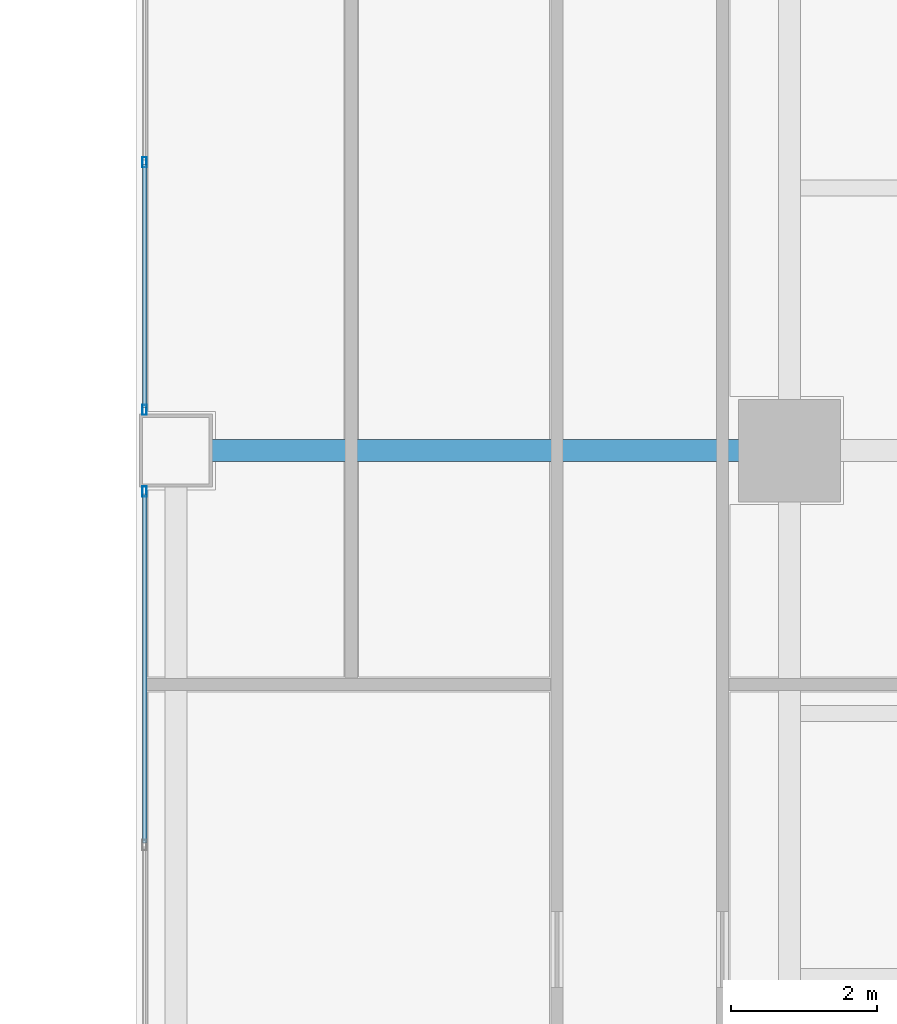
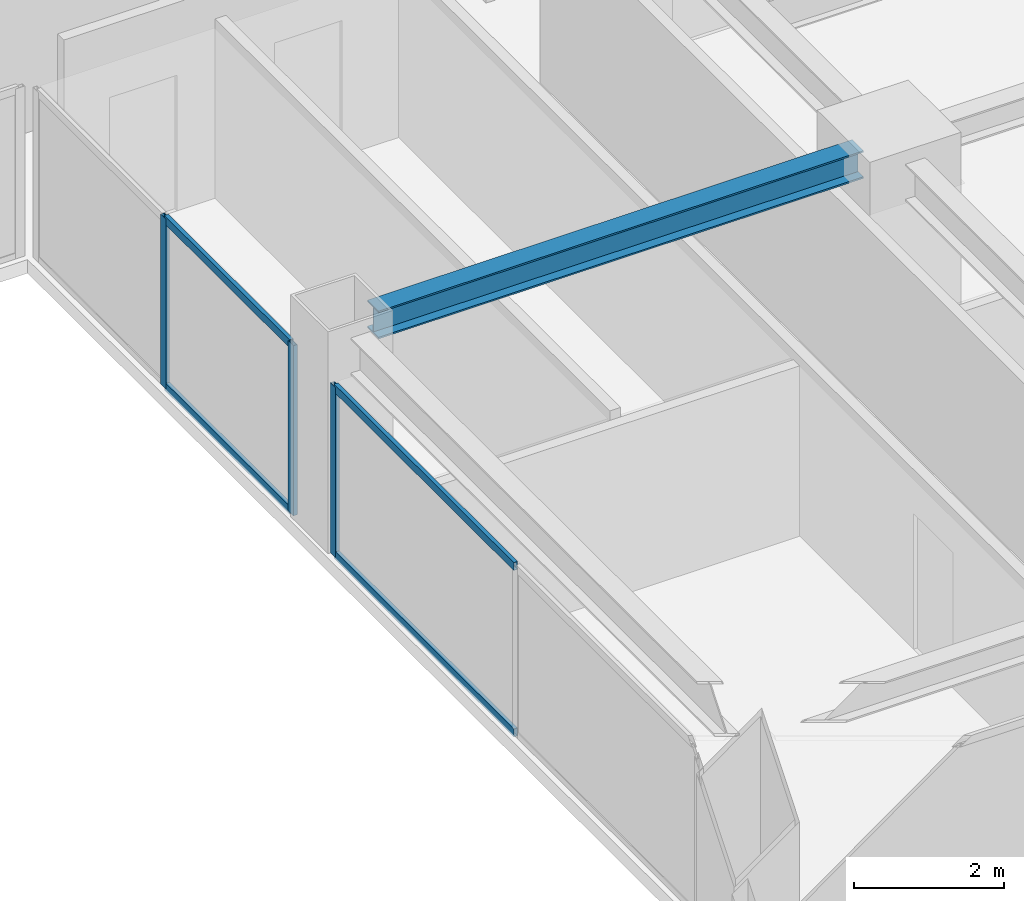
# One storey, part 14 of 31: 7 members, 1 beam, 2 elements without a shape of their own.
"""IFC4 building model written with IfcOpenShell, lengths in metres."""

from ifc_helpers import new_model, si_unit, direction, frame, origin, origin_2d, place, context, subcontext, project, spatial, hollow_rectangle, i_section, extrude, source, transform, mapped, material, layer, layer_set, material_profile, profile_set, type_object, element, aggregate, save


model = new_model("IFC4")

# Units and contexts
model_context = context("Model", 3, precision=1e-05, world=origin(), true_north=direction((0.0, 1.0)))
body_context = subcontext(model_context, "Body", "Model", "MODEL_VIEW")
ifc_project = project(units=[si_unit("LENGTHUNIT", "METRE"), si_unit("AREAUNIT", "SQUARE_METRE"), si_unit("VOLUMEUNIT", "CUBIC_METRE"), si_unit("PLANEANGLEUNIT", "RADIAN"), si_unit("MASSUNIT", "GRAM", prefix="KILO")], contexts=[model_context])

# Site, building, storey
site_placement = place(None, origin())
site = spatial("IfcSite", under=ifc_project, at=site_placement, CompositionType="ELEMENT")
building_placement = place(site_placement, origin())
building = spatial("IfcBuilding", under=site, at=building_placement, Name="Sumidabori Civic Tower", CompositionType="ELEMENT")
storey_placement = place(building_placement, frame((0.0, 0.0, 221.60009765625)))
storey = spatial("IfcBuildingStorey", under=building, at=storey_placement, Name="L57", CompositionType="ELEMENT", Elevation=221.60009765625)

# Beam
ifc_material_1 = material(Name="Steel SN490", Category="steel")
ifc_material_profile_1 = material_profile(ifc_material_1, i_section(OverallWidth=0.300048828125, OverallDepth=0.449951171875, WebThickness=0.013916015625, FlangeThickness=0.02587890625, at=origin_2d()), Name="HE 450 B")
ifc_profile_set_1 = profile_set([ifc_material_profile_1], Name="Steel SN490")
beam_type = type_object("IfcBeamType", Name="BM-GIRD-450", PredefinedType="BEAM", material=ifc_profile_set_1)
shared_shape_1 = source(origin(), body_context, "Body", "SweptSolid", [
    extrude(i_section(OverallWidth=0.300048828125, OverallDepth=0.449951171875, WebThickness=0.013916015625, FlangeThickness=0.02587890625, at=origin_2d()), origin(), (0.0, 0.0, 1.0), 7.440185546875),
])
beam_placement = place(storey_placement, frame((8.8798828125, 0.0, 3.15478515625), z_axis=(1.0, 0.0, 0.0), x_axis=(0.0, 1.0, 0.0)))
element("IfcBeam", 1, at=beam_placement, inside=storey, type_object=beam_type, Name="Primary Girder L57 GX-07", PredefinedType="BEAM", context=body_context, shape_type="MappedRepresentation", body=[
    mapped(shared_shape_1, transform((0.0, 0.0, 0.0), x_axis=(1.0, 0.0, 0.0), y_axis=(0.0, 1.0, 0.0), z_axis=(0.0, 0.0, 1.0), scale=1.0)),
])

# Curtain wall, members
ifc_material_2 = material(Name="Anodised Bronze Aluminium AW-6063-T6", Category="aluminium")
ifc_layer = layer(ifc_material_2, 0.179931640625, Name="Anodised Bronze Aluminium AW-6063-T6")
ifc_layer_set = layer_set([ifc_layer], Name="Anodised Bronze Aluminium AW-6063-T6")
curtain_wall_type = type_object("IfcCurtainWallType", Name="CW-SYS-4", PredefinedType="NOTDEFINED", material=ifc_layer_set)
curtain_wall_1_placement = place(storey_placement, origin())
curtain_wall_1 = element("IfcCurtainWall", 2, at=curtain_wall_1_placement, inside=storey, type_object=curtain_wall_type, Name="Curtain Wall CW:L57:R06", PredefinedType="NOTDEFINED")
ifc_material_profile_2 = material_profile(ifc_material_2, hollow_rectangle(XDim=0.06005859375, YDim=0.139892578125, WallThickness=0.0048828125, at=origin_2d()), Name="ALU MULLION 140x60")
ifc_profile_set_2 = profile_set([ifc_material_profile_2], Name="Anodised Bronze Aluminium AW-6063-T6")
member_type_1 = type_object("IfcMemberType", Name="CW-MUL-140", PredefinedType="MULLION", material=ifc_profile_set_2)
shared_shape_2 = source(origin(), body_context, "Body", "SweptSolid", [
    extrude(hollow_rectangle(XDim=0.06005859375, YDim=0.139892578125, WallThickness=0.0048828125, at=origin_2d()), origin(), (0.0, 0.0, 1.0), 2.760009765625),
])
member_1_placement = place(storey_placement, frame((7.969970703125, 3.949951171875, 0.0), z_axis=(0.0, 0.0, 1.0), x_axis=(1.0, 0.0, 0.0)))
member_1 = element("IfcMember", 3, at=member_1_placement, type_object=member_type_1, Name="CW-4 mullion 2", PredefinedType="MULLION", context=body_context, shape_type="MappedRepresentation", body=[
    mapped(shared_shape_2, transform((0.0, 0.0, 0.0), x_axis=(1.0, 0.0, 0.0), y_axis=(0.0, 1.0, 0.0), z_axis=(0.0, 0.0, 1.0), scale=1.0)),
])
member_2_placement = place(storey_placement, frame((7.969970703125, 0.56005859375, 0.0), z_axis=(0.0, 0.0, 1.0), x_axis=(1.0, 0.0, 0.0)))
member_2 = element("IfcMember", 4, at=member_2_placement, type_object=member_type_1, Name="CW-4 mullion 3", PredefinedType="MULLION", context=body_context, shape_type="MappedRepresentation", body=[
    mapped(shared_shape_2, transform((0.0, 0.0, 0.0), x_axis=(1.0, 0.0, 0.0), y_axis=(0.0, 1.0, 0.0), z_axis=(0.0, 0.0, 1.0), scale=1.0)),
])

curtain_wall_2_placement = place(storey_placement, origin())
curtain_wall_2 = element("IfcCurtainWall", 5, at=curtain_wall_2_placement, inside=storey, type_object=curtain_wall_type, Name="Curtain Wall CW:L57:R07", PredefinedType="NOTDEFINED")
member_3_placement = place(storey_placement, frame((7.969970703125, -0.56005859375, 0.0), z_axis=(0.0, 0.0, 1.0), x_axis=(1.0, 0.0, 0.0)))
member_3 = element("IfcMember", 6, at=member_3_placement, type_object=member_type_1, Name="CW-4 mullion 1", PredefinedType="MULLION", context=body_context, shape_type="MappedRepresentation", body=[
    mapped(shared_shape_2, transform((0.0, 0.0, 0.0), x_axis=(1.0, 0.0, 0.0), y_axis=(0.0, 1.0, 0.0), z_axis=(0.0, 0.0, 1.0), scale=1.0)),
])
ifc_material_profile_3 = material_profile(ifc_material_2, hollow_rectangle(XDim=0.06005859375, YDim=0.1298828125, WallThickness=0.0048828125, at=origin_2d()), Name="ALU TRANSOM 130x60")
ifc_profile_set_3 = profile_set([ifc_material_profile_3], Name="Anodised Bronze Aluminium AW-6063-T6")
member_type_2 = type_object("IfcMemberType", Name="CW-TRN-130", PredefinedType="USERDEFINED", material=ifc_profile_set_3)
shared_shape_3 = source(origin(), body_context, "Body", "SweptSolid", [
    extrude(hollow_rectangle(XDim=0.06005859375, YDim=0.1298828125, WallThickness=0.0048828125, at=origin_2d()), origin(), (0.0, 0.0, 1.0), 4.780029296875),
])
member_4_placement = place(storey_placement, frame((7.969970703125, -0.590087890625, 0.02978515625), z_axis=(0.0, -1.0, 0.0), x_axis=(1.0, 0.0, 0.0)))
member_4 = element("IfcMember", 7, at=member_4_placement, type_object=member_type_2, Name="CW-4 transom 1.1", ObjectType="TRANSOM", PredefinedType="USERDEFINED", context=body_context, shape_type="MappedRepresentation", body=[
    mapped(shared_shape_3, transform((0.0, 0.0, 0.0), x_axis=(1.0, 0.0, 0.0), y_axis=(0.0, 1.0, 0.0), z_axis=(0.0, 0.0, 1.0), scale=1.0)),
])
member_5_placement = place(storey_placement, frame((7.969970703125, -0.590087890625, 2.72998046875), z_axis=(0.0, -1.0, 0.0), x_axis=(1.0, 0.0, 0.0)))
member_5 = element("IfcMember", 8, at=member_5_placement, type_object=member_type_2, Name="CW-4 transom 1.2", ObjectType="TRANSOM", PredefinedType="USERDEFINED", context=body_context, shape_type="MappedRepresentation", body=[
    mapped(shared_shape_3, transform((0.0, 0.0, 0.0), x_axis=(1.0, 0.0, 0.0), y_axis=(0.0, 1.0, 0.0), z_axis=(0.0, 0.0, 1.0), scale=1.0)),
])
aggregate(curtain_wall_2, [member_3, member_4, member_5])

# Member
shared_shape_4 = source(origin(), body_context, "Body", "SweptSolid", [
    extrude(hollow_rectangle(XDim=0.06005859375, YDim=0.1298828125, WallThickness=0.0048828125, at=origin_2d()), origin(), (0.0, 0.0, 1.0), 3.329833984375),
])
member_6_placement = place(storey_placement, frame((7.969970703125, 3.919921875, 0.02978515625), z_axis=(0.0, -1.0, 0.0), x_axis=(1.0, 0.0, 0.0)))
member_6 = element("IfcMember", 9, at=member_6_placement, type_object=member_type_2, Name="CW-4 transom 2.1", ObjectType="TRANSOM", PredefinedType="USERDEFINED", context=body_context, shape_type="MappedRepresentation", body=[
    mapped(shared_shape_4, transform((0.0, 0.0, 0.0), x_axis=(1.0, 0.0, 0.0), y_axis=(0.0, 1.0, 0.0), z_axis=(0.0, 0.0, 1.0), scale=1.0)),
])

member_7_placement = place(storey_placement, frame((7.969970703125, 3.919921875, 2.72998046875), z_axis=(0.0, -1.0, 0.0), x_axis=(1.0, 0.0, 0.0)))
member_7 = element("IfcMember", 10, at=member_7_placement, type_object=member_type_2, Name="CW-4 transom 2.2", ObjectType="TRANSOM", PredefinedType="USERDEFINED", context=body_context, shape_type="MappedRepresentation", body=[
    mapped(shared_shape_4, transform((0.0, 0.0, 0.0), x_axis=(1.0, 0.0, 0.0), y_axis=(0.0, 1.0, 0.0), z_axis=(0.0, 0.0, 1.0), scale=1.0)),
])

aggregate(curtain_wall_1, [member_1, member_2, member_6, member_7])

save(model, "model.ifc")
